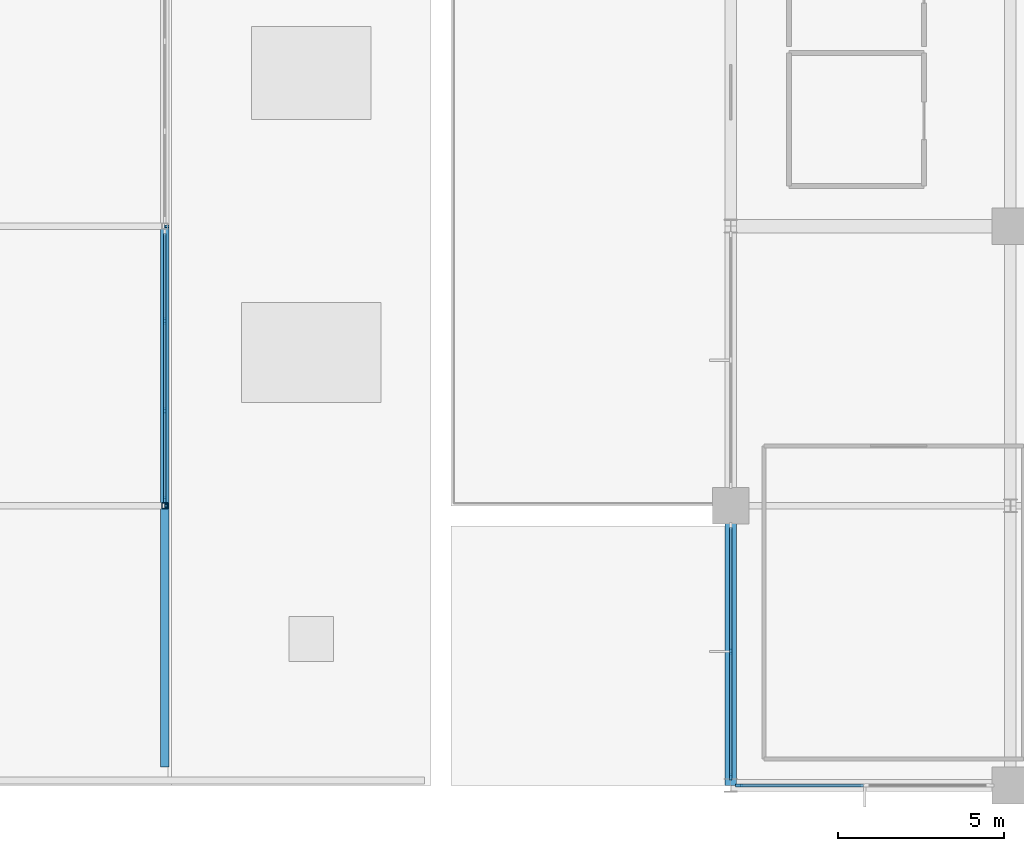
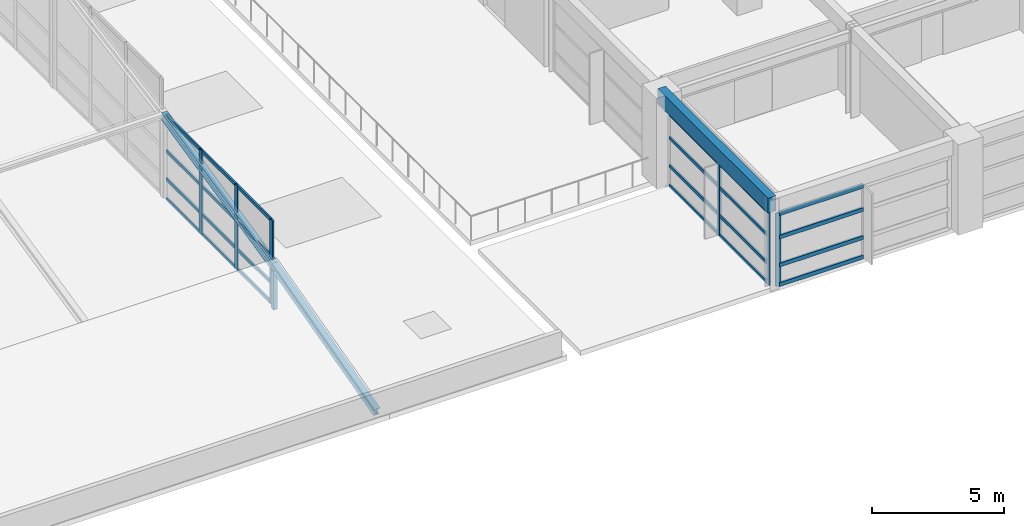
# One storey, part 16 of 34: 33 members, 1 beam, 3 elements without a shape of their own.
"""IFC4 building model written with IfcOpenShell, lengths in metres."""

from ifc_helpers import new_model, si_unit, direction, frame, origin, origin_2d, place, context, subcontext, project, spatial, rectangle, hollow_rectangle, i_section, extrude, material, material_profile, profile_set, type_object, element, aggregate, save


model = new_model("IFC4")

# Units and contexts
model_context = context("Model", 3, precision=1e-05, world=origin(), true_north=direction((0.0, 1.0)))
body_context = subcontext(model_context, "Body", "Model", "MODEL_VIEW")
ifc_project = project(units=[si_unit("LENGTHUNIT", "METRE"), si_unit("AREAUNIT", "SQUARE_METRE"), si_unit("VOLUMEUNIT", "CUBIC_METRE"), si_unit("PLANEANGLEUNIT", "RADIAN"), si_unit("MASSUNIT", "GRAM", prefix="KILO")], contexts=[model_context])

# Site, building, storey
site_placement = place(None, origin())
site = spatial("IfcSite", under=ifc_project, at=site_placement, CompositionType="ELEMENT")
building_placement = place(site_placement, origin())
building = spatial("IfcBuilding", under=site, at=building_placement, Name="Xuanlan Plaza Opera House", CompositionType="ELEMENT")
storey_placement = place(building_placement, frame((0.0, 0.0, 27.89990234375)))
storey = spatial("IfcBuildingStorey", under=building, at=storey_placement, Name="L06", CompositionType="ELEMENT", Elevation=27.89990234375)

# Curtain wall, members
ifc_material_1 = material(Name="Anodised Aluminium 6063-T6 and Low-E Glass", Category="aluminium")
curtain_wall_type_1 = type_object("IfcCurtainWallType", Name="ENV-CW-CW-04", PredefinedType="USERDEFINED", material=ifc_material_1)
curtain_wall_1_placement = place(storey_placement, origin())
curtain_wall_1 = element("IfcCurtainWall", 1, at=curtain_wall_1_placement, inside=storey, type_object=curtain_wall_type_1, Name="Unitised Curtain Wall L06-020", ObjectType="UNITISED CURTAIN WALL", PredefinedType="USERDEFINED")
ifc_material_2 = material(Name="Anodised Aluminium 6063-T6", Category="aluminium")
ifc_material_profile_1 = material_profile(ifc_material_2, rectangle(XDim=0.074951171875, YDim=0.199951171875, at=origin_2d()), Name="ALU-M 75x200")
ifc_profile_set_1 = profile_set([ifc_material_profile_1], Name="Anodised Aluminium 6063-T6")
member_type_1 = type_object("IfcMemberType", Name="ENV-CWM-03", PredefinedType="MULLION", material=ifc_profile_set_1)
member_1_placement = place(storey_placement, frame((126.0, 37.625, 0.0), z_axis=(0.0, 0.0, 1.0), x_axis=(1.0, 0.0, 0.0)))
member_1 = element("IfcMember", 2, at=member_1_placement, type_object=member_type_1, Name="CW-04 mullion 2", PredefinedType="MULLION", context=body_context, shape_type="SweptSolid", body=[
    extrude(rectangle(XDim=0.074951171875, YDim=0.199951171875, at=origin_2d()), origin(), (0.0, 0.0, 1.0), 3.380126953125),
])
member_2_placement = place(storey_placement, frame((126.0, 33.857421875, 0.0), z_axis=(0.0, 0.0, 1.0), x_axis=(1.0, 0.0, 0.0)))
member_2 = element("IfcMember", 3, at=member_2_placement, type_object=member_type_1, Name="CW-04 mullion 3", PredefinedType="MULLION", context=body_context, shape_type="SweptSolid", body=[
    extrude(rectangle(XDim=0.074951171875, YDim=0.199951171875, at=origin_2d()), origin(), (0.0, 0.0, 1.0), 3.380126953125),
])

curtain_wall_type_2 = type_object("IfcCurtainWallType", Name="ENV-CW-CW-06", PredefinedType="USERDEFINED", material=ifc_material_1)
curtain_wall_2_placement = place(storey_placement, origin())
curtain_wall_2 = element("IfcCurtainWall", 4, at=curtain_wall_2_placement, inside=storey, type_object=curtain_wall_type_2, Name="Acoustic Glazed Wall SHL-L06-01", ObjectType="ACOUSTIC GLAZED WALL", PredefinedType="USERDEFINED")
member_3_placement = place(storey_placement, frame((109.0, 42.1875, 0.0), z_axis=(0.0, 0.0, 1.0), x_axis=(-1.0, 0.0, 0.0)))
member_3 = element("IfcMember", 5, at=member_3_placement, type_object=member_type_1, Name="CW-06 mullion 1", PredefinedType="MULLION", context=body_context, shape_type="SweptSolid", body=[
    extrude(rectangle(XDim=0.074951171875, YDim=0.199951171875, at=origin_2d()), origin(), (0.0, 0.0, 1.0), 3.900146484375),
])
member_4_placement = place(storey_placement, frame((109.0, 44.85009765625, 0.0), z_axis=(0.0, 0.0, 1.0), x_axis=(-1.0, 0.0, 0.0)))
member_4 = element("IfcMember", 6, at=member_4_placement, type_object=member_type_1, Name="CW-06 mullion 2", PredefinedType="MULLION", context=body_context, shape_type="SweptSolid", body=[
    extrude(rectangle(XDim=0.074951171875, YDim=0.199951171875, at=origin_2d()), origin(), (0.0, 0.0, 1.0), 3.900146484375),
])
member_5_placement = place(storey_placement, frame((109.0, 47.550048828125, 0.0), z_axis=(0.0, 0.0, 1.0), x_axis=(-1.0, 0.0, 0.0)))
member_5 = element("IfcMember", 7, at=member_5_placement, type_object=member_type_1, Name="CW-06 mullion 3", PredefinedType="MULLION", context=body_context, shape_type="SweptSolid", body=[
    extrude(rectangle(XDim=0.074951171875, YDim=0.199951171875, at=origin_2d()), origin(), (0.0, 0.0, 1.0), 3.900146484375),
])

# Curtain wall, member
curtain_wall_type_3 = type_object("IfcCurtainWallType", Name="ENV-CW-CW-01", PredefinedType="USERDEFINED", material=ifc_material_1)
curtain_wall_3_placement = place(storey_placement, origin())
curtain_wall_3 = element("IfcCurtainWall", 8, at=curtain_wall_3_placement, inside=storey, type_object=curtain_wall_type_3, Name="Unitised Curtain Wall L06-001", ObjectType="UNITISED CURTAIN WALL", PredefinedType="USERDEFINED")
ifc_material_profile_2 = material_profile(ifc_material_2, rectangle(XDim=0.080078125, YDim=0.219970703125, at=origin_2d()), Name="ALU-M 80x220")
ifc_profile_set_2 = profile_set([ifc_material_profile_2], Name="Anodised Aluminium 6063-T6")
member_type_2 = type_object("IfcMemberType", Name="ENV-CWM-04", PredefinedType="MULLION", material=ifc_profile_set_2)
member_6_placement = place(storey_placement, frame((126.260009765625, 33.60009765625, 0.0), z_axis=(0.0, 0.0, 1.0), x_axis=(0.0, 1.0, 0.0)))
member_6 = element("IfcMember", 9, at=member_6_placement, type_object=member_type_2, Name="CW-01 mullion 1", PredefinedType="MULLION", context=body_context, shape_type="SweptSolid", body=[
    extrude(rectangle(XDim=0.080078125, YDim=0.219970703125, at=origin_2d()), origin(), (0.0, 0.0, 1.0), 3.380126953125),
])

# Member
ifc_material_profile_3 = material_profile(ifc_material_2, rectangle(XDim=0.074951171875, YDim=0.14990234375, at=origin_2d()), Name="ALU-T 75x150")
ifc_profile_set_3 = profile_set([ifc_material_profile_3], Name="Anodised Aluminium 6063-T6")
member_type_3 = type_object("IfcMemberType", Name="ENV-CWT-03", PredefinedType="USERDEFINED", material=ifc_profile_set_3)
member_7_placement = place(storey_placement, frame((126.0, 41.35498046875, 0.03759765625), z_axis=(0.0, -1.0, 0.0), x_axis=(1.0, 0.0, 0.0)))
member_7 = element("IfcMember", 10, at=member_7_placement, type_object=member_type_3, Name="CW-04 transom 1.1", ObjectType="TRANSOM", PredefinedType="USERDEFINED", context=body_context, shape_type="SweptSolid", body=[
    extrude(rectangle(XDim=0.074951171875, YDim=0.14990234375, at=origin_2d()), origin(), (0.0, 0.0, 1.0), 3.6923828125),
])

member_8_placement = place(storey_placement, frame((126.0, 41.35498046875, 0.9501953125), z_axis=(0.0, -1.0, 0.0), x_axis=(1.0, 0.0, 0.0)))
member_8 = element("IfcMember", 11, at=member_8_placement, type_object=member_type_3, Name="CW-04 transom 1.2", ObjectType="TRANSOM", PredefinedType="USERDEFINED", context=body_context, shape_type="SweptSolid", body=[
    extrude(rectangle(XDim=0.074951171875, YDim=0.14990234375, at=origin_2d()), origin(), (0.0, 0.0, 1.0), 3.6923828125),
])

member_9_placement = place(storey_placement, frame((126.0, 41.35498046875, 2.25), z_axis=(0.0, -1.0, 0.0), x_axis=(1.0, 0.0, 0.0)))
member_9 = element("IfcMember", 12, at=member_9_placement, type_object=member_type_3, Name="CW-04 transom 1.3", ObjectType="TRANSOM", PredefinedType="USERDEFINED", context=body_context, shape_type="SweptSolid", body=[
    extrude(rectangle(XDim=0.074951171875, YDim=0.14990234375, at=origin_2d()), origin(), (0.0, 0.0, 1.0), 3.6923828125),
])

member_10_placement = place(storey_placement, frame((126.0, 41.35498046875, 3.342529296875), z_axis=(0.0, -1.0, 0.0), x_axis=(1.0, 0.0, 0.0)))
member_10 = element("IfcMember", 13, at=member_10_placement, type_object=member_type_3, Name="CW-04 transom 1.4", ObjectType="TRANSOM", PredefinedType="USERDEFINED", context=body_context, shape_type="SweptSolid", body=[
    extrude(rectangle(XDim=0.074951171875, YDim=0.14990234375, at=origin_2d()), origin(), (0.0, 0.0, 1.0), 3.6923828125),
])

member_11_placement = place(storey_placement, frame((126.0, 37.58740234375, 0.03759765625), z_axis=(0.0, -1.0, 0.0), x_axis=(1.0, 0.0, 0.0)))
member_11 = element("IfcMember", 14, at=member_11_placement, type_object=member_type_3, Name="CW-04 transom 2.1", ObjectType="TRANSOM", PredefinedType="USERDEFINED", context=body_context, shape_type="SweptSolid", body=[
    extrude(rectangle(XDim=0.074951171875, YDim=0.14990234375, at=origin_2d()), origin(), (0.0, 0.0, 1.0), 3.6923828125),
])

member_12_placement = place(storey_placement, frame((126.0, 37.58740234375, 0.9501953125), z_axis=(0.0, -1.0, 0.0), x_axis=(1.0, 0.0, 0.0)))
member_12 = element("IfcMember", 15, at=member_12_placement, type_object=member_type_3, Name="CW-04 transom 2.2", ObjectType="TRANSOM", PredefinedType="USERDEFINED", context=body_context, shape_type="SweptSolid", body=[
    extrude(rectangle(XDim=0.074951171875, YDim=0.14990234375, at=origin_2d()), origin(), (0.0, 0.0, 1.0), 3.6923828125),
])

member_13_placement = place(storey_placement, frame((126.0, 37.58740234375, 2.25), z_axis=(0.0, -1.0, 0.0), x_axis=(1.0, 0.0, 0.0)))
member_13 = element("IfcMember", 16, at=member_13_placement, type_object=member_type_3, Name="CW-04 transom 2.3", ObjectType="TRANSOM", PredefinedType="USERDEFINED", context=body_context, shape_type="SweptSolid", body=[
    extrude(rectangle(XDim=0.074951171875, YDim=0.14990234375, at=origin_2d()), origin(), (0.0, 0.0, 1.0), 3.6923828125),
])

member_14_placement = place(storey_placement, frame((126.0, 37.58740234375, 3.342529296875), z_axis=(0.0, -1.0, 0.0), x_axis=(1.0, 0.0, 0.0)))
member_14 = element("IfcMember", 17, at=member_14_placement, type_object=member_type_3, Name="CW-04 transom 2.4", ObjectType="TRANSOM", PredefinedType="USERDEFINED", context=body_context, shape_type="SweptSolid", body=[
    extrude(rectangle(XDim=0.074951171875, YDim=0.14990234375, at=origin_2d()), origin(), (0.0, 0.0, 1.0), 3.6923828125),
])

aggregate(curtain_wall_1, [member_1, member_2, member_7, member_8, member_9, member_10, member_11, member_12, member_13, member_14])

member_15_placement = place(storey_placement, frame((109.0, 42.22509765625, 0.03759765625), z_axis=(0.0, 1.0, 0.0), x_axis=(-1.0, 0.0, 0.0)))
member_15 = element("IfcMember", 18, at=member_15_placement, type_object=member_type_3, Name="CW-06 transom 1.1", ObjectType="TRANSOM", PredefinedType="USERDEFINED", context=body_context, shape_type="SweptSolid", body=[
    extrude(rectangle(XDim=0.074951171875, YDim=0.14990234375, at=origin_2d()), origin(), (0.0, 0.0, 1.0), 2.58740234375),
])

member_16_placement = place(storey_placement, frame((109.0, 42.22509765625, 0.9501953125), z_axis=(0.0, 1.0, 0.0), x_axis=(-1.0, 0.0, 0.0)))
member_16 = element("IfcMember", 19, at=member_16_placement, type_object=member_type_3, Name="CW-06 transom 1.2", ObjectType="TRANSOM", PredefinedType="USERDEFINED", context=body_context, shape_type="SweptSolid", body=[
    extrude(rectangle(XDim=0.074951171875, YDim=0.14990234375, at=origin_2d()), origin(), (0.0, 0.0, 1.0), 2.58740234375),
])

member_17_placement = place(storey_placement, frame((109.0, 42.22509765625, 2.25), z_axis=(0.0, 1.0, 0.0), x_axis=(-1.0, 0.0, 0.0)))
member_17 = element("IfcMember", 20, at=member_17_placement, type_object=member_type_3, Name="CW-06 transom 1.3", ObjectType="TRANSOM", PredefinedType="USERDEFINED", context=body_context, shape_type="SweptSolid", body=[
    extrude(rectangle(XDim=0.074951171875, YDim=0.14990234375, at=origin_2d()), origin(), (0.0, 0.0, 1.0), 2.58740234375),
])

member_18_placement = place(storey_placement, frame((109.0, 42.22509765625, 3.862548828125), z_axis=(0.0, 1.0, 0.0), x_axis=(-1.0, 0.0, 0.0)))
member_18 = element("IfcMember", 21, at=member_18_placement, type_object=member_type_3, Name="CW-06 transom 1.4", ObjectType="TRANSOM", PredefinedType="USERDEFINED", context=body_context, shape_type="SweptSolid", body=[
    extrude(rectangle(XDim=0.074951171875, YDim=0.14990234375, at=origin_2d()), origin(), (0.0, 0.0, 1.0), 2.58740234375),
])

member_19_placement = place(storey_placement, frame((109.0, 44.887451171875, 0.03759765625), z_axis=(0.0, 1.0, 0.0), x_axis=(-1.0, 0.0, 0.0)))
member_19 = element("IfcMember", 22, at=member_19_placement, type_object=member_type_3, Name="CW-06 transom 2.1", ObjectType="TRANSOM", PredefinedType="USERDEFINED", context=body_context, shape_type="SweptSolid", body=[
    extrude(rectangle(XDim=0.074951171875, YDim=0.14990234375, at=origin_2d()), origin(), (0.0, 0.0, 1.0), 2.625),
])

member_20_placement = place(storey_placement, frame((109.0, 44.887451171875, 0.9501953125), z_axis=(0.0, 1.0, 0.0), x_axis=(-1.0, 0.0, 0.0)))
member_20 = element("IfcMember", 23, at=member_20_placement, type_object=member_type_3, Name="CW-06 transom 2.2", ObjectType="TRANSOM", PredefinedType="USERDEFINED", context=body_context, shape_type="SweptSolid", body=[
    extrude(rectangle(XDim=0.074951171875, YDim=0.14990234375, at=origin_2d()), origin(), (0.0, 0.0, 1.0), 2.625),
])

member_21_placement = place(storey_placement, frame((109.0, 44.887451171875, 2.25), z_axis=(0.0, 1.0, 0.0), x_axis=(-1.0, 0.0, 0.0)))
member_21 = element("IfcMember", 24, at=member_21_placement, type_object=member_type_3, Name="CW-06 transom 2.3", ObjectType="TRANSOM", PredefinedType="USERDEFINED", context=body_context, shape_type="SweptSolid", body=[
    extrude(rectangle(XDim=0.074951171875, YDim=0.14990234375, at=origin_2d()), origin(), (0.0, 0.0, 1.0), 2.625),
])

member_22_placement = place(storey_placement, frame((109.0, 44.887451171875, 3.862548828125), z_axis=(0.0, 1.0, 0.0), x_axis=(-1.0, 0.0, 0.0)))
member_22 = element("IfcMember", 25, at=member_22_placement, type_object=member_type_3, Name="CW-06 transom 2.4", ObjectType="TRANSOM", PredefinedType="USERDEFINED", context=body_context, shape_type="SweptSolid", body=[
    extrude(rectangle(XDim=0.074951171875, YDim=0.14990234375, at=origin_2d()), origin(), (0.0, 0.0, 1.0), 2.625),
])

member_23_placement = place(storey_placement, frame((109.0, 47.58740234375, 0.03759765625), z_axis=(0.0, 1.0, 0.0), x_axis=(-1.0, 0.0, 0.0)))
member_23 = element("IfcMember", 26, at=member_23_placement, type_object=member_type_3, Name="CW-06 transom 3.1", ObjectType="TRANSOM", PredefinedType="USERDEFINED", context=body_context, shape_type="SweptSolid", body=[
    extrude(rectangle(XDim=0.074951171875, YDim=0.14990234375, at=origin_2d()), origin(), (0.0, 0.0, 1.0), 2.587646484375),
])

member_24_placement = place(storey_placement, frame((109.0, 47.58740234375, 0.9501953125), z_axis=(0.0, 1.0, 0.0), x_axis=(-1.0, 0.0, 0.0)))
member_24 = element("IfcMember", 27, at=member_24_placement, type_object=member_type_3, Name="CW-06 transom 3.2", ObjectType="TRANSOM", PredefinedType="USERDEFINED", context=body_context, shape_type="SweptSolid", body=[
    extrude(rectangle(XDim=0.074951171875, YDim=0.14990234375, at=origin_2d()), origin(), (0.0, 0.0, 1.0), 2.587646484375),
])

member_25_placement = place(storey_placement, frame((109.0, 47.58740234375, 2.25), z_axis=(0.0, 1.0, 0.0), x_axis=(-1.0, 0.0, 0.0)))
member_25 = element("IfcMember", 28, at=member_25_placement, type_object=member_type_3, Name="CW-06 transom 3.3", ObjectType="TRANSOM", PredefinedType="USERDEFINED", context=body_context, shape_type="SweptSolid", body=[
    extrude(rectangle(XDim=0.074951171875, YDim=0.14990234375, at=origin_2d()), origin(), (0.0, 0.0, 1.0), 2.587646484375),
])

member_26_placement = place(storey_placement, frame((109.0, 47.58740234375, 3.862548828125), z_axis=(0.0, 1.0, 0.0), x_axis=(-1.0, 0.0, 0.0)))
member_26 = element("IfcMember", 29, at=member_26_placement, type_object=member_type_3, Name="CW-06 transom 3.4", ObjectType="TRANSOM", PredefinedType="USERDEFINED", context=body_context, shape_type="SweptSolid", body=[
    extrude(rectangle(XDim=0.074951171875, YDim=0.14990234375, at=origin_2d()), origin(), (0.0, 0.0, 1.0), 2.587646484375),
])

aggregate(curtain_wall_2, [member_3, member_4, member_5, member_15, member_16, member_17, member_18, member_19, member_20, member_21, member_22, member_23, member_24, member_25, member_26])

ifc_material_profile_4 = material_profile(ifc_material_2, rectangle(XDim=0.090087890625, YDim=0.179931640625, at=origin_2d()), Name="ALU-T 90x180")
ifc_profile_set_4 = profile_set([ifc_material_profile_4], Name="Anodised Aluminium 6063-T6")
member_type_4 = type_object("IfcMemberType", Name="ENV-CWT-05", PredefinedType="USERDEFINED", material=ifc_profile_set_4)
member_27_placement = place(storey_placement, frame((126.300048828125, 33.60009765625, 0.045166015625), z_axis=(1.0, 0.0, 0.0), x_axis=(0.0, 1.0, 0.0)))
member_27 = element("IfcMember", 30, at=member_27_placement, type_object=member_type_4, Name="CW-01 transom 1.1", ObjectType="TRANSOM", PredefinedType="USERDEFINED", context=body_context, shape_type="SweptSolid", body=[
    extrude(rectangle(XDim=0.090087890625, YDim=0.179931640625, at=origin_2d()), origin(), (0.0, 0.0, 1.0), 3.68505859375),
])

member_28_placement = place(storey_placement, frame((126.300048828125, 33.60009765625, 0.9501953125), z_axis=(1.0, 0.0, 0.0), x_axis=(0.0, 1.0, 0.0)))
member_28 = element("IfcMember", 31, at=member_28_placement, type_object=member_type_4, Name="CW-01 transom 1.2", ObjectType="TRANSOM", PredefinedType="USERDEFINED", context=body_context, shape_type="SweptSolid", body=[
    extrude(rectangle(XDim=0.090087890625, YDim=0.179931640625, at=origin_2d()), origin(), (0.0, 0.0, 1.0), 3.68505859375),
])

member_29_placement = place(storey_placement, frame((126.300048828125, 33.60009765625, 2.25), z_axis=(1.0, 0.0, 0.0), x_axis=(0.0, 1.0, 0.0)))
member_29 = element("IfcMember", 32, at=member_29_placement, type_object=member_type_4, Name="CW-01 transom 1.3", ObjectType="TRANSOM", PredefinedType="USERDEFINED", context=body_context, shape_type="SweptSolid", body=[
    extrude(rectangle(XDim=0.090087890625, YDim=0.179931640625, at=origin_2d()), origin(), (0.0, 0.0, 1.0), 3.68505859375),
])

member_30_placement = place(storey_placement, frame((126.300048828125, 33.60009765625, 3.335205078125), z_axis=(1.0, 0.0, 0.0), x_axis=(0.0, 1.0, 0.0)))
member_30 = element("IfcMember", 33, at=member_30_placement, type_object=member_type_4, Name="CW-01 transom 1.4", ObjectType="TRANSOM", PredefinedType="USERDEFINED", context=body_context, shape_type="SweptSolid", body=[
    extrude(rectangle(XDim=0.090087890625, YDim=0.179931640625, at=origin_2d()), origin(), (0.0, 0.0, 1.0), 3.68505859375),
])

aggregate(curtain_wall_3, [member_6, member_27, member_28, member_29, member_30])

# Beam
ifc_material_3 = material(Name="Concrete C40", Category="concrete")
ifc_material_profile_5 = material_profile(ifc_material_3, rectangle(XDim=0.35009765625, YDim=0.699951171875, at=origin_2d()), Name="RC-SPD 350x700")
ifc_profile_set_5 = profile_set([ifc_material_profile_5], Name="Concrete C40")
beam_type = type_object("IfcBeamType", Name="STR-BM-SP-02", PredefinedType="SPANDREL", material=ifc_profile_set_5)
beam_placement = place(storey_placement, frame((126.0, 33.60009765625, 3.85009765625), z_axis=(0.0, 1.0, 0.0), x_axis=(-1.0, 0.0, 0.0)))
element("IfcBeam", 34, at=beam_placement, inside=storey, type_object=beam_type, Name="Grid Beam Y L06 16/E-F", PredefinedType="SPANDREL", context=body_context, shape_type="SweptSolid", body=[
    extrude(rectangle(XDim=0.35009765625, YDim=0.699951171875, at=origin_2d()), origin(), (0.0, 0.0, 1.0), 8.39990234375),
])

# Members
ifc_material_4 = material(Name="Steel Q355B", Category="steel")
ifc_material_profile_6 = material_profile(ifc_material_4, hollow_rectangle(XDim=0.179931640625, YDim=0.179931640625, WallThickness=0.010009765625, at=origin_2d()), Name="SHS 180x180x10")
ifc_profile_set_6 = profile_set([ifc_material_profile_6], Name="Steel Q355B")
member_type_5 = type_object("IfcMemberType", Name="STR-MEM-ST-M2", PredefinedType="STRUT", material=ifc_profile_set_6)
member_31_placement = place(storey_placement, frame((109.0, 42.0, -0.119873046875), z_axis=(0.0, 0.0, 1.0), x_axis=(1.0, 0.0, 0.0)))
element("IfcMember", 35, at=member_31_placement, inside=storey, type_object=member_type_5, Name="Auditorium Vault Arch Post 06-1", PredefinedType="STRUT", context=body_context, shape_type="SweptSolid", body=[
    extrude(hollow_rectangle(XDim=0.179931640625, YDim=0.179931640625, WallThickness=0.010009765625, at=origin_2d()), origin(), (0.0, 0.0, 1.0), 2.0),
])
ifc_material_profile_7 = material_profile(ifc_material_4, i_section(OverallWidth=0.25, OverallDepth=0.340087890625, WebThickness=0.009033203125, FlangeThickness=0.013916015625, FilletRadius=0.01611328125, at=origin_2d()), Name="HM 340x250x9x14")
ifc_profile_set_7 = profile_set([ifc_material_profile_7], Name="Steel Q355B")
member_type_6 = type_object("IfcMemberType", Name="STR-MEM-TC-01", PredefinedType="CHORD", material=ifc_profile_set_7)
member_32_placement = place(storey_placement, frame((109.0, 34.199951171875, -0.179931640625), z_axis=(0.0, 0.966847972596, 0.255352693128), x_axis=(-1.0, 0.0, 0.0)))
element("IfcMember", 36, at=member_32_placement, inside=storey, type_object=member_type_6, Name="Auditorium Parabolic Vault Arch Chord 06-1", PredefinedType="CHORD", context=body_context, shape_type="SweptSolid", body=[
    extrude(i_section(OverallWidth=0.25, OverallDepth=0.340087890625, WebThickness=0.009033203125, FlangeThickness=0.013916015625, FilletRadius=0.01611328125, at=origin_2d()), origin(), (0.0, 0.0, 1.0), 8.0673828125),
])
member_33_placement = place(storey_placement, frame((109.0, 42.0, 1.880126953125), z_axis=(0.0, 0.975362349764, 0.220608899781), x_axis=(-1.0, 0.0, 0.0)))
element("IfcMember", 37, at=member_33_placement, inside=storey, type_object=member_type_6, Name="Auditorium Parabolic Vault Arch Chord 06-2", PredefinedType="CHORD", context=body_context, shape_type="SweptSolid", body=[
    extrude(i_section(OverallWidth=0.25, OverallDepth=0.340087890625, WebThickness=0.009033203125, FlangeThickness=0.013916015625, FilletRadius=0.01611328125, at=origin_2d()), origin(), (0.0, 0.0, 1.0), 8.612060546875),
])

save(model, "model.ifc")
